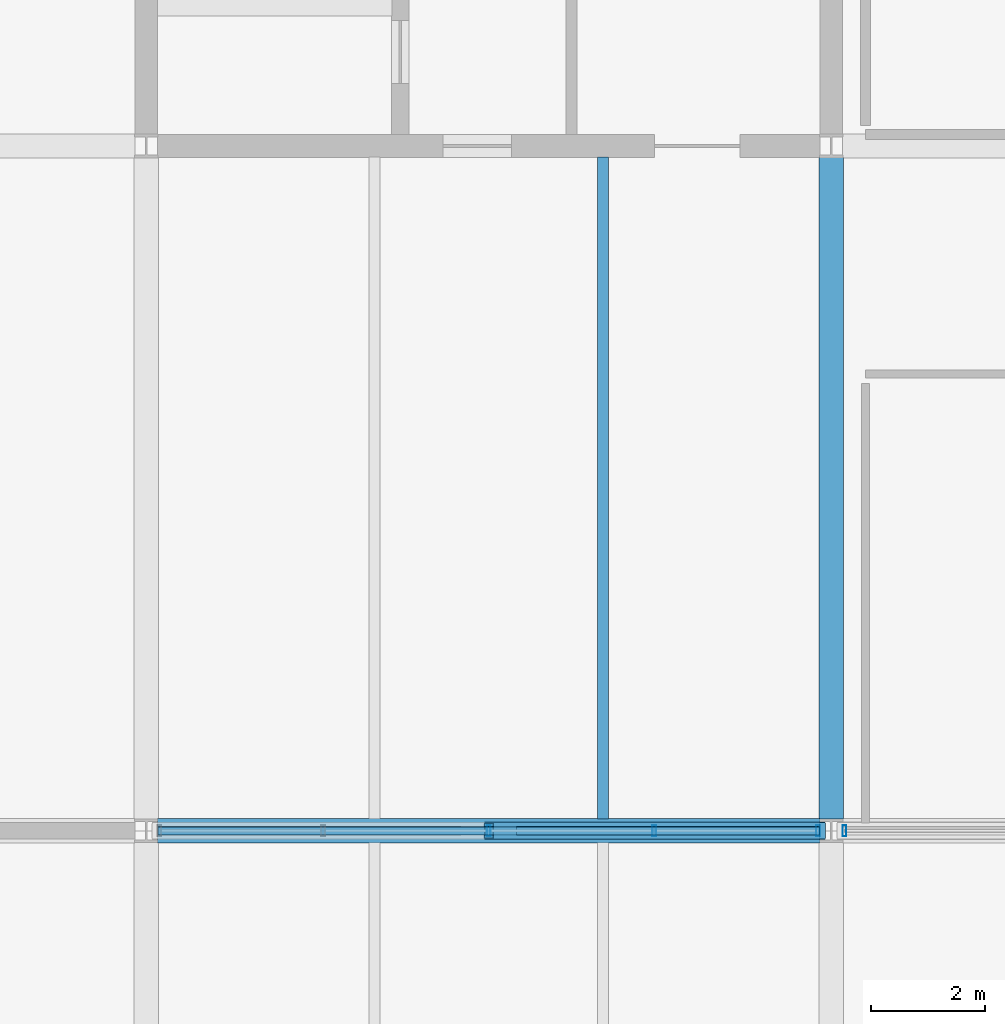
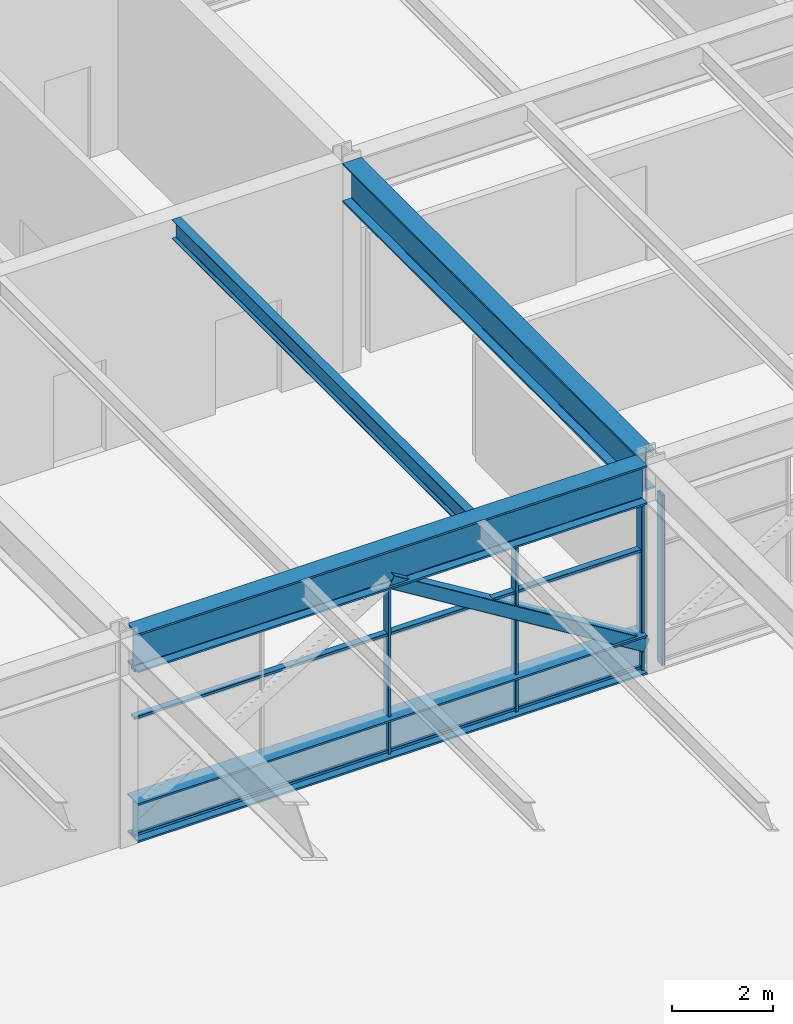
# One storey, part 27 of 42: 9 members, 3 beams, 2 elements without a shape of their own.
"""IFC4 building model written with IfcOpenShell, lengths in metres."""

from ifc_helpers import new_model, si_unit, direction, frame, origin, origin_2d, place, context, subcontext, project, spatial, hollow_rectangle, i_section, extrude, material, material_profile, profile_set, type_object, element, aggregate, save


model = new_model("IFC4")

# Units and contexts
model_context = context("Model", 3, precision=1e-05, world=origin(), true_north=direction((0.0, 1.0)))
body_context = subcontext(model_context, "Body", "Model", "MODEL_VIEW")
ifc_project = project(units=[si_unit("LENGTHUNIT", "METRE"), si_unit("AREAUNIT", "SQUARE_METRE"), si_unit("VOLUMEUNIT", "CUBIC_METRE"), si_unit("PLANEANGLEUNIT", "RADIAN"), si_unit("MASSUNIT", "GRAM", prefix="KILO")], contexts=[model_context])

# Site, building, storey
site_placement = place(None, origin())
site = spatial("IfcSite", under=ifc_project, at=site_placement, CompositionType="ELEMENT")
building_placement = place(site_placement, origin())
building = spatial("IfcBuilding", under=site, at=building_placement, Name="Girod Span Mobility Hub", CompositionType="ELEMENT")
storey_placement = place(building_placement, frame((0.0, 0.0, 32.39990234375)))
storey = spatial("IfcBuildingStorey", under=building, at=storey_placement, Name="L08", CompositionType="ELEMENT", Elevation=32.39990234375)

# Beams
ifc_material_1 = material(Name="Steel A992 Grade 50", Category="steel")
ifc_material_profile_1 = material_profile(ifc_material_1, i_section(OverallWidth=0.19189453125, OverallDepth=0.462890625, WebThickness=0.010498046875, FlangeThickness=0.017578125, FilletRadius=0.013916015625, at=origin_2d()), Name="W18X60")
ifc_profile_set_1 = profile_set([ifc_material_profile_1], Name="Steel A992 Grade 50")
beam_type_1 = type_object("IfcBeamType", Name="BM-STL-W18X60", PredefinedType="BEAM", material=ifc_profile_set_1)
beam_1_placement = place(storey_placement, frame((116.0, 45.20849609375, 4.80859375), z_axis=(0.0, 1.0, 0.0), x_axis=(-1.0, 0.0, 0.0)))
element("IfcBeam", 1, at=beam_1_placement, inside=storey, type_object=beam_type_1, Name="Composite Floorbeam 10/D-2 L08", PredefinedType="BEAM", context=body_context, shape_type="SweptSolid", body=[
    extrude(i_section(OverallWidth=0.19189453125, OverallDepth=0.462890625, WebThickness=0.010498046875, FlangeThickness=0.017578125, FilletRadius=0.013916015625, at=origin_2d()), origin(), (0.0, 0.0, 1.0), 11.594482421875),
])
ifc_material_2 = material(Name="Steel A992 Grade 50", Category="steel")
ifc_material_profile_2 = material_profile(ifc_material_2, i_section(OverallWidth=0.423095703125, OverallDepth=0.93994140625, WebThickness=0.02392578125, FlangeThickness=0.042724609375, FilletRadius=0.02392578125, at=origin_2d()), Name="W36X302")
ifc_profile_set_2 = profile_set([ifc_material_profile_2], Name="Steel A992 Grade 50")
beam_type_2 = type_object("IfcBeamType", Name="BM-STL-W36X302", PredefinedType="BEAM", material=ifc_profile_set_2)
beam_2_placement = place(storey_placement, frame((108.199951171875, 45.0, 4.570068359375), z_axis=(1.0, 0.0, 0.0), x_axis=(0.0, 1.0, 0.0)))
element("IfcBeam", 2, at=beam_2_placement, inside=storey, type_object=beam_type_2, Name="Girder 10-11/D L08", PredefinedType="BEAM", context=body_context, shape_type="SweptSolid", body=[
    extrude(i_section(OverallWidth=0.423095703125, OverallDepth=0.93994140625, WebThickness=0.02392578125, FlangeThickness=0.042724609375, FilletRadius=0.02392578125, at=origin_2d()), origin(), (0.0, 0.0, 1.0), 11.60009765625),
])
beam_3_placement = place(storey_placement, frame((120.0, 45.205078125, 4.570068359375), z_axis=(0.0, 1.0, 0.0), x_axis=(-1.0, 0.0, 0.0)))
element("IfcBeam", 3, at=beam_3_placement, inside=storey, type_object=beam_type_2, Name="Tie Girder 11/D-E L08", PredefinedType="BEAM", context=body_context, shape_type="SweptSolid", body=[
    extrude(i_section(OverallWidth=0.423095703125, OverallDepth=0.93994140625, WebThickness=0.02392578125, FlangeThickness=0.042724609375, FilletRadius=0.02392578125, at=origin_2d()), origin(), (0.0, 0.0, 1.0), 11.58984375),
])

# Curtain wall, members
ifc_material_3 = material(Name="Thermally Broken Anodised Aluminium", Category="aluminium")
curtain_wall_type = type_object("IfcCurtainWallType", Name="CW-1160X410", PredefinedType="USERDEFINED", material=ifc_material_3)
curtain_wall_1_placement = place(storey_placement, origin())
curtain_wall_1 = element("IfcCurtainWall", 4, at=curtain_wall_1_placement, inside=storey, type_object=curtain_wall_type, Name="Unitised Curtain Wall CW-L08-S10 L08", ObjectType="UNITISED CURTAIN WALL", PredefinedType="USERDEFINED")
ifc_material_4 = material(Name="Thermally Broken Anodised Aluminium", Category="aluminium")
ifc_material_profile_3 = material_profile(ifc_material_4, hollow_rectangle(XDim=0.199951171875, YDim=0.06494140625, WallThickness=0.00390625, InnerFilletRadius=0.00390625, OuterFilletRadius=0.008056640625, at=origin_2d()), Name="CW-ML-65X200")
ifc_profile_set_3 = profile_set([ifc_material_profile_3], Name="Thermally Broken Anodised Aluminium")
member_type_1 = type_object("IfcMemberType", Name="CWM-ML-1", PredefinedType="MULLION", material=ifc_profile_set_3)
member_1_placement = place(storey_placement, frame((114.0, 45.0, 0.0), z_axis=(0.0, 0.0, 1.0), x_axis=(0.0, 1.0, 0.0)))
member_1 = element("IfcMember", 5, at=member_1_placement, type_object=member_type_1, Name="Curtain Wall Mullion CW-L08-S10-M2", PredefinedType="MULLION", context=body_context, shape_type="SweptSolid", body=[
    extrude(hollow_rectangle(XDim=0.199951171875, YDim=0.06494140625, WallThickness=0.00390625, InnerFilletRadius=0.00390625, OuterFilletRadius=0.008056640625, at=origin_2d()), origin(), (0.0, 0.0, 1.0), 4.10009765625),
])
member_2_placement = place(storey_placement, frame((116.8994140625, 45.0, 0.0), z_axis=(0.0, 0.0, 1.0), x_axis=(0.0, 1.0, 0.0)))
member_2 = element("IfcMember", 6, at=member_2_placement, type_object=member_type_1, Name="Curtain Wall Mullion CW-L08-S10-M3", PredefinedType="MULLION", context=body_context, shape_type="SweptSolid", body=[
    extrude(hollow_rectangle(XDim=0.199951171875, YDim=0.06494140625, WallThickness=0.00390625, InnerFilletRadius=0.00390625, OuterFilletRadius=0.008056640625, at=origin_2d()), origin(), (0.0, 0.0, 1.0), 4.10009765625),
])
member_3_placement = place(storey_placement, frame((119.76708984375, 45.0, 0.0), z_axis=(0.0, 0.0, 1.0), x_axis=(0.0, 1.0, 0.0)))
member_3 = element("IfcMember", 7, at=member_3_placement, type_object=member_type_1, Name="Curtain Wall Mullion CW-L08-S10-M4", PredefinedType="MULLION", context=body_context, shape_type="SweptSolid", body=[
    extrude(hollow_rectangle(XDim=0.199951171875, YDim=0.06494140625, WallThickness=0.00390625, InnerFilletRadius=0.00390625, OuterFilletRadius=0.008056640625, at=origin_2d()), origin(), (0.0, 0.0, 1.0), 4.10009765625),
])

# Curtain wall, member
curtain_wall_2_placement = place(storey_placement, origin())
curtain_wall_2 = element("IfcCurtainWall", 8, at=curtain_wall_2_placement, inside=storey, type_object=curtain_wall_type, Name="Unitised Curtain Wall CW-L08-S11 L08", ObjectType="UNITISED CURTAIN WALL", PredefinedType="USERDEFINED")
member_4_placement = place(storey_placement, frame((120.23291015625, 45.0, 0.0), z_axis=(0.0, 0.0, 1.0), x_axis=(0.0, 1.0, 0.0)))
member_4 = element("IfcMember", 9, at=member_4_placement, type_object=member_type_1, Name="Curtain Wall Mullion CW-L08-S11-M0", PredefinedType="MULLION", context=body_context, shape_type="SweptSolid", body=[
    extrude(hollow_rectangle(XDim=0.199951171875, YDim=0.06494140625, WallThickness=0.00390625, InnerFilletRadius=0.00390625, OuterFilletRadius=0.008056640625, at=origin_2d()), origin(), (0.0, 0.0, 1.0), 4.10009765625),
])
aggregate(curtain_wall_2, [member_4])

# Member
ifc_material_5 = material(Name="Thermally Broken Anodised Aluminium", Category="aluminium")
ifc_material_profile_4 = material_profile(ifc_material_5, hollow_rectangle(XDim=0.14990234375, YDim=0.06494140625, WallThickness=0.00390625, InnerFilletRadius=0.00390625, OuterFilletRadius=0.008056640625, at=origin_2d()), Name="CW-TR-65X150")
ifc_profile_set_4 = profile_set([ifc_material_profile_4], Name="Thermally Broken Anodised Aluminium")
member_type_2 = type_object("IfcMemberType", Name="CWM-TR-1", PredefinedType="USERDEFINED", material=ifc_profile_set_4)
member_5_placement = place(storey_placement, frame((108.200927734375, 45.0, 0.107666015625), z_axis=(1.0, 0.0, 0.0), x_axis=(0.0, 1.0, 0.0)))
member_5 = element("IfcMember", 10, at=member_5_placement, type_object=member_type_2, Name="Curtain Wall Transom CW-L08-S10-T1", ObjectType="TRANSOM", PredefinedType="USERDEFINED", context=body_context, shape_type="SweptSolid", body=[
    extrude(hollow_rectangle(XDim=0.14990234375, YDim=0.06494140625, WallThickness=0.00390625, InnerFilletRadius=0.00390625, OuterFilletRadius=0.008056640625, at=origin_2d()), origin(), (0.0, 0.0, 1.0), 11.59814453125),
])

member_6_placement = place(storey_placement, frame((108.200927734375, 45.0, 2.919677734375), z_axis=(1.0, 0.0, 0.0), x_axis=(0.0, 1.0, 0.0)))
member_6 = element("IfcMember", 11, at=member_6_placement, type_object=member_type_2, Name="Curtain Wall Transom CW-L08-S10-T2", ObjectType="TRANSOM", PredefinedType="USERDEFINED", context=body_context, shape_type="SweptSolid", body=[
    extrude(hollow_rectangle(XDim=0.14990234375, YDim=0.06494140625, WallThickness=0.00390625, InnerFilletRadius=0.00390625, OuterFilletRadius=0.008056640625, at=origin_2d()), origin(), (0.0, 0.0, 1.0), 11.59814453125),
])

member_7_placement = place(storey_placement, frame((108.200927734375, 45.0, 4.067626953125), z_axis=(1.0, 0.0, 0.0), x_axis=(0.0, 1.0, 0.0)))
member_7 = element("IfcMember", 12, at=member_7_placement, type_object=member_type_2, Name="Curtain Wall Transom CW-L08-S10-T3", ObjectType="TRANSOM", PredefinedType="USERDEFINED", context=body_context, shape_type="SweptSolid", body=[
    extrude(hollow_rectangle(XDim=0.14990234375, YDim=0.06494140625, WallThickness=0.00390625, InnerFilletRadius=0.00390625, OuterFilletRadius=0.008056640625, at=origin_2d()), origin(), (0.0, 0.0, 1.0), 11.59814453125),
])

aggregate(curtain_wall_1, [member_1, member_2, member_3, member_5, member_6, member_7])

# Members
ifc_material_6 = material(Name="Steel HSS A500 Grade C", Category="steel")
ifc_material_profile_5 = material_profile(ifc_material_6, hollow_rectangle(XDim=0.304931640625, YDim=0.304931640625, WallThickness=0.014892578125, InnerFilletRadius=0.014892578125, OuterFilletRadius=0.029541015625, at=origin_2d()), Name="HSS305X305X16")
ifc_profile_set_5 = profile_set([ifc_material_profile_5], Name="Steel HSS A500 Grade C")
member_type_3 = type_object("IfcMemberType", Name="MB-BR-HSS305", PredefinedType="BRACE", material=ifc_profile_set_5)
member_8_placement = place(storey_placement, frame((119.81689453125, 45.0, 0.650146484375), z_axis=(-0.852282861165, 0.0, 0.523081183531), x_axis=(0.0, -1.0, 0.0)))
element("IfcMember", 13, at=member_8_placement, inside=storey, type_object=member_type_3, Name="Warren Transfer Truss Web Diagonal Y=45 10-R", PredefinedType="BRACE", context=body_context, shape_type="SweptSolid", body=[
    extrude(hollow_rectangle(XDim=0.304931640625, YDim=0.304931640625, WallThickness=0.014892578125, InnerFilletRadius=0.014892578125, OuterFilletRadius=0.029541015625, at=origin_2d()), origin(), (0.0, 0.0, 1.0), 6.8251953125),
])
ifc_material_7 = material(Name="Steel A992 Grade 50", Category="steel")
ifc_material_profile_6 = material_profile(ifc_material_7, i_section(OverallWidth=0.423095703125, OverallDepth=0.93994140625, WebThickness=0.02392578125, FlangeThickness=0.042724609375, FilletRadius=0.02392578125, at=origin_2d()), Name="W36X302")
ifc_profile_set_6 = profile_set([ifc_material_profile_6], Name="Steel A992 Grade 50")
member_type_4 = type_object("IfcMemberType", Name="MB-CH-W36X302", PredefinedType="CHORD", material=ifc_profile_set_6)
member_9_placement = place(storey_placement, frame((108.199951171875, 45.0, 0.47998046875), z_axis=(1.0, 0.0, 0.0), x_axis=(0.0, 1.0, 0.0)))
element("IfcMember", 14, at=member_9_placement, inside=storey, type_object=member_type_4, Name="Warren Transfer Truss Bottom Chord Y=45 Bay 10", PredefinedType="CHORD", context=body_context, shape_type="SweptSolid", body=[
    extrude(i_section(OverallWidth=0.423095703125, OverallDepth=0.93994140625, WebThickness=0.02392578125, FlangeThickness=0.042724609375, FilletRadius=0.02392578125, at=origin_2d()), origin(), (0.0, 0.0, 1.0), 11.60009765625),
])

save(model, "model.ifc")
